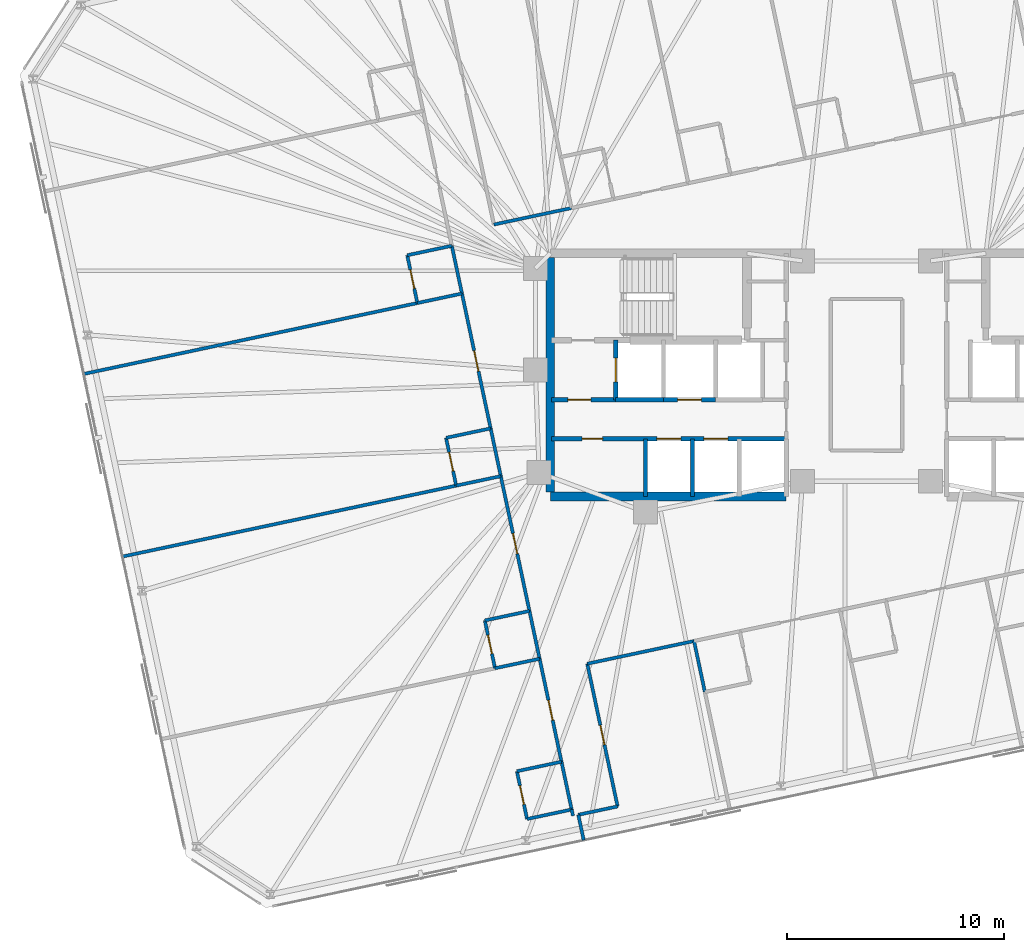
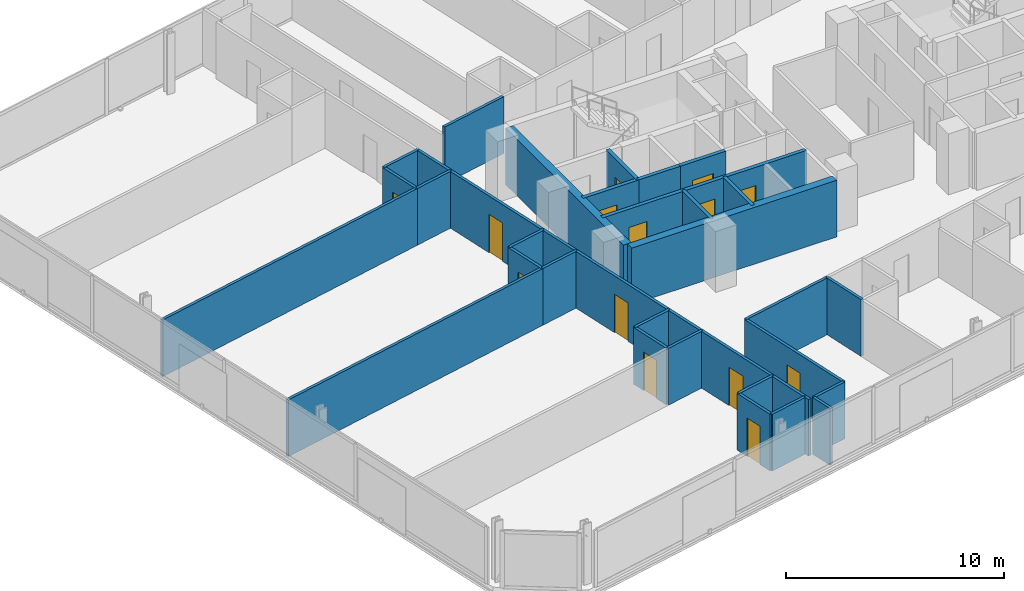
# One storey, part 14 of 20: 37 walls, 14 doors, 14 openings.
"""IFC4 building model written with IfcOpenShell, lengths in metres."""

from ifc_helpers import new_model, si_unit, direction, frame, frame_2d, origin, place, context, subcontext, project, spatial, rectangle, extrude, material, layer, layer_set, type_object, element, fill, save


model = new_model("IFC4")

# Units and contexts
model_context = context("Model", 3, precision=1e-05, world=origin(), true_north=direction((0.0, 1.0)))
body_context = subcontext(model_context, "Body", "Model", "MODEL_VIEW")
ifc_project = project(units=[si_unit("LENGTHUNIT", "METRE"), si_unit("AREAUNIT", "SQUARE_METRE"), si_unit("VOLUMEUNIT", "CUBIC_METRE"), si_unit("PLANEANGLEUNIT", "RADIAN"), si_unit("MASSUNIT", "GRAM", prefix="KILO")], contexts=[model_context])

# Site, building, storey
site_placement = place(None, origin())
site = spatial("IfcSite", under=ifc_project, at=site_placement, CompositionType="ELEMENT")
building_placement = place(site_placement, origin())
building = spatial("IfcBuilding", under=site, at=building_placement, Name="Menara Jurai Vektor", CompositionType="ELEMENT")
storey_placement = place(building_placement, frame((0.0, 0.0, 158.199951171875)))
storey = spatial("IfcBuildingStorey", under=building, at=storey_placement, Name="L40", CompositionType="ELEMENT", Elevation=158.199951171875)

# Wall, opening, door
ifc_material_1 = material(Name="Concrete C40/50", Category="concrete")
ifc_layer_1 = layer(ifc_material_1, 0.25)
ifc_layer_set_1 = layer_set([ifc_layer_1], Name="Concrete C40/50")
wall_type_1 = type_object("IfcWallType", Name="INT-WALL-CORE-250", PredefinedType="STANDARD", material=ifc_layer_set_1)
wall_1_placement = place(storey_placement, frame((-11.550048828125, -1.14990234375, 0.0), z_axis=(0.0, 0.0, 1.0), x_axis=(0.0, 1.0, 0.0)))
wall_1 = element("IfcWall", 1, at=wall_1_placement, inside=storey, type_object=wall_type_1, Name="Interior Wall IW-250 L40", PredefinedType="STANDARD", context=body_context, shape_type="SweptSolid", body=[
    extrude(rectangle(XDim=2.75, YDim=0.199951171875, at=frame_2d((1.375, 0.0))), origin(), (0.0, 0.0, 1.0), 3.175048828125),
])
opening_1_placement = place(wall_1_placement, frame((0.824951171875, 0.0, 0.0)))
opening_1 = element("IfcOpeningElement", 2, at=opening_1_placement, cuts=wall_1, Name="Opening LD-L40-FL1", PredefinedType="OPENING", context=body_context, shape_type="SweptSolid", body=[
    extrude(rectangle(XDim=1.10009765625, YDim=2.14990234375, at=frame_2d((0.550048828125, 1.074951171875))), frame((0.0, 0.10986328125, 0.0), z_axis=(0.0, -1.0, 0.0), x_axis=(1.0, 0.0, 0.0)), (0.0, 0.0, 1.0), 0.219970703125),
])
ifc_material_2 = material(Name="Stainless Steel Sliding Lift Landing Door", Category="steel")
door_type_1 = type_object("IfcDoorType", Name="DR-LIFT-FIRE-1100", OperationType="NOTDEFINED", PredefinedType="DOOR", material=ifc_material_2)
door_1_placement = place(opening_1_placement, origin())
door_1 = element("IfcDoor", 3, at=door_1_placement, inside=storey, type_object=door_type_1, Name="Lift Landing Door FL1 L40", OperationType="SLIDING_TO_RIGHT", OverallHeight=2.14990234375, OverallWidth=1.10009765625, PredefinedType="DOOR", context=body_context, shape_type="SweptSolid", body=[
    extrude(rectangle(XDim=1.10009765625, YDim=2.14990234375, at=frame_2d((0.550048828125, 1.074951171875))), frame((0.0, 0.02490234375, 0.0), z_axis=(0.0, -1.0, 0.0), x_axis=(1.0, 0.0, 0.0)), (0.0, 0.0, 1.0), 0.050048828125),
])
fill(opening_1, door_1)

wall_2_placement = place(storey_placement, frame((-14.5, -1.14990234375, 0.0), z_axis=(0.0, 0.0, 1.0), x_axis=(1.0, 0.0, 0.0)))
wall_2 = element("IfcWall", 4, at=wall_2_placement, inside=storey, type_object=wall_type_1, Name="Interior Wall IW-250 L40", PredefinedType="STANDARD", context=body_context, shape_type="SweptSolid", body=[
    extrude(rectangle(XDim=2.949951171875, YDim=0.199951171875, at=frame_2d((1.47509765625, 0.0))), origin(), (0.0, 0.0, 1.0), 3.175048828125),
])
opening_2_placement = place(wall_2_placement, frame((0.75, 0.0, 0.0)))
opening_2 = element("IfcOpeningElement", 5, at=opening_2_placement, cuts=wall_2, Name="Opening D-L40-FFW", PredefinedType="OPENING", context=body_context, shape_type="SweptSolid", body=[
    extrude(rectangle(XDim=1.050048828125, YDim=2.179931640625, at=frame_2d((0.52490234375, 1.08984375))), frame((0.0, 0.10986328125, 0.0), z_axis=(0.0, -1.0, 0.0), x_axis=(1.0, 0.0, 0.0)), (0.0, 0.0, 1.0), 0.219970703125),
])
ifc_material_3 = material(Name="Fire-Rated Timber Door", Category="wood")
door_type_2 = type_object("IfcDoorType", Name="DR-LOBBY-1050", OperationType="NOTDEFINED", PredefinedType="DOOR", material=ifc_material_3)
door_2_placement = place(opening_2_placement, origin())
door_2 = element("IfcDoor", 6, at=door_2_placement, inside=storey, type_object=door_type_2, Name="Fire Lift Lobby Door W L40", OperationType="SINGLE_SWING_RIGHT", OverallHeight=2.179931640625, OverallWidth=1.050048828125, PredefinedType="DOOR", context=body_context, shape_type="SweptSolid", body=[
    extrude(rectangle(XDim=1.050048828125, YDim=2.179931640625, at=frame_2d((0.52490234375, 1.08984375))), frame((0.0, 0.02490234375, 0.0), z_axis=(0.0, -1.0, 0.0), x_axis=(1.0, 0.0, 0.0)), (0.0, 0.0, 1.0), 0.050048828125),
])
fill(opening_2, door_2)

# Walls
wall_3_placement = place(storey_placement, frame((-11.550048828125, -1.14990234375, 0.0), z_axis=(0.0, 0.0, 1.0), x_axis=(1.0, 0.0, 0.0)))
element("IfcWall", 7, at=wall_3_placement, inside=storey, type_object=wall_type_1, Name="Interior Wall IW-250 L40", PredefinedType="STANDARD", context=body_context, shape_type="SweptSolid", body=[
    extrude(rectangle(XDim=2.199951171875, YDim=0.199951171875, at=frame_2d((1.10009765625, 0.0))), origin(), (0.0, 0.0, 1.0), 3.175048828125),
])
ifc_material_4 = material(Name="Gypsum Fireboard Partition", Category="gypsum")
ifc_layer_2 = layer(ifc_material_4, 0.14990234375)
ifc_layer_set_2 = layer_set([ifc_layer_2], Name="Gypsum Fireboard Partition")
wall_type_2 = type_object("IfcWallType", Name="INT-WALL-CORR-150", PredefinedType="PARTITIONING", material=ifc_layer_set_2)
wall_4_placement = place(storey_placement, frame((-17.162353515625, 6.92578125, 0.0), z_axis=(0.0, 0.0, 1.0), x_axis=(0.978147299501, 0.207913108004, 0.0)))
element("IfcWall", 8, at=wall_4_placement, inside=storey, type_object=wall_type_2, Name="Interior Wall IW-150 L40", PredefinedType="PARTITIONING", context=body_context, shape_type="SweptSolid", body=[
    extrude(rectangle(XDim=3.653076171875, YDim=0.14990234375, at=frame_2d((1.82666015625, 0.0))), origin(), (0.0, 0.0, 1.0), 3.175048828125),
])
wall_5_placement = place(storey_placement, frame((-13.274169921875, -20.264892578125, 0.0), z_axis=(0.0, 0.0, 1.0), x_axis=(0.978160192495, 0.207852442415, 0.0)))
element("IfcWall", 9, at=wall_5_placement, inside=storey, type_object=wall_type_2, Name="Interior Wall IW-150 L40", PredefinedType="PARTITIONING", context=body_context, shape_type="SweptSolid", body=[
    extrude(rectangle(XDim=1.849853515625, YDim=0.14990234375, at=frame_2d((0.9248046875, 0.0))), origin(), (0.0, 0.0, 1.0), 3.175048828125),
])

# Wall, opening, door
wall_6_placement = place(storey_placement, frame((-11.464599609375, -19.88037109375, 0.0), z_axis=(0.0, 0.0, 1.0), x_axis=(-0.207916109912, 0.978146661416, 0.0)))
wall_6 = element("IfcWall", 10, at=wall_6_placement, inside=storey, type_object=wall_type_2, Name="Interior Wall IW-150 L40", PredefinedType="PARTITIONING", context=body_context, shape_type="SweptSolid", body=[
    extrude(rectangle(XDim=6.72021484375, YDim=0.14990234375, at=frame_2d((3.360107421875, 0.0))), origin(), (0.0, 0.0, 1.0), 3.175048828125),
])
opening_3_placement = place(wall_6_placement, frame((2.89990234375, 0.0, 0.0)))
opening_3 = element("IfcOpeningElement", 11, at=opening_3_placement, cuts=wall_6, Name="Opening D40-18", PredefinedType="OPENING", context=body_context, shape_type="SweptSolid", body=[
    extrude(rectangle(XDim=0.919921875, YDim=2.14990234375, at=frame_2d((0.4599609375, 1.074951171875))), frame((0.0, 0.0849609375, 0.0), z_axis=(0.0, -1.0, 0.0), x_axis=(1.0, 0.0, 0.0)), (0.0, 0.0, 1.0), 0.169921875),
])
ifc_material_5 = material(Name="Solid Core Timber Fire Door", Category="wood")
door_type_3 = type_object("IfcDoorType", Name="DR-ENTRY-950", OperationType="NOTDEFINED", PredefinedType="DOOR", material=ifc_material_5)
door_3_placement = place(opening_3_placement, origin())
door_3 = element("IfcDoor", 12, at=door_3_placement, inside=storey, type_object=door_type_3, Name="Interior Door D40-18", OperationType="SINGLE_SWING_LEFT", OverallHeight=2.14990234375, OverallWidth=0.919921875, PredefinedType="DOOR", context=body_context, shape_type="SweptSolid", body=[
    extrude(rectangle(XDim=0.919921875, YDim=2.14990234375, at=frame_2d((0.4599609375, 1.074951171875))), frame((0.0, 0.02490234375, 0.0), z_axis=(0.0, -1.0, 0.0), x_axis=(1.0, 0.0, 0.0)), (0.0, 0.0, 1.0), 0.050048828125),
])
fill(opening_3, door_3)

# Walls
wall_7_placement = place(storey_placement, frame((-12.86181640625, -13.30712890625, 0.0), z_axis=(0.0, 0.0, 1.0), x_axis=(0.978145647498, 0.207920879857, 0.0)))
element("IfcWall", 13, at=wall_7_placement, inside=storey, type_object=wall_type_2, Name="Interior Wall IW-150 L40", PredefinedType="PARTITIONING", context=body_context, shape_type="SweptSolid", body=[
    extrude(rectangle(XDim=5.029052734375, YDim=0.14990234375, at=frame_2d((2.5146484375, 0.0))), origin(), (0.0, 0.0, 1.0), 3.175048828125),
])
wall_8_placement = place(storey_placement, frame((-13.518798828125, -20.31689453125, 0.0), z_axis=(0.0, 0.0, 1.0), x_axis=(-0.207527808066, 0.978229118806, 0.0)))
element("IfcWall", 14, at=wall_8_placement, inside=storey, type_object=wall_type_2, Name="Interior Wall IW-150 L40", PredefinedType="PARTITIONING", context=body_context, shape_type="SweptSolid", body=[
    extrude(rectangle(XDim=0.300048828125, YDim=0.14990234375, at=frame_2d((0.14990234375, 0.0))), origin(), (0.0, 0.0, 1.0), 3.175048828125),
])

# Wall, opening, door
wall_9_placement = place(storey_placement, frame((-14.048828125, -17.822509765625, 0.0), z_axis=(0.0, 0.0, 1.0), x_axis=(-0.2079027059, 0.978149510494, 0.0)))
wall_9 = element("IfcWall", 15, at=wall_9_placement, inside=storey, type_object=wall_type_2, Name="Interior Wall IW-150 L40", PredefinedType="PARTITIONING", context=body_context, shape_type="SweptSolid", body=[
    extrude(rectangle(XDim=4.849853515625, YDim=0.14990234375, at=frame_2d((2.4248046875, 0.0))), origin(), (0.0, 0.0, 1.0), 3.175048828125),
])
opening_4_placement = place(wall_9_placement, frame((1.949951171875, 0.0, 0.0)))
opening_4 = element("IfcOpeningElement", 16, at=opening_4_placement, cuts=wall_9, Name="Opening D40-27", PredefinedType="OPENING", context=body_context, shape_type="SweptSolid", body=[
    extrude(rectangle(XDim=0.949951171875, YDim=2.14990234375, at=frame_2d((0.47509765625, 1.074951171875))), frame((0.0, 0.0849609375, 0.0), z_axis=(0.0, -1.0, 0.0), x_axis=(1.0, 0.0, 0.0)), (0.0, 0.0, 1.0), 0.169921875),
])
door_4_placement = place(opening_4_placement, origin())
door_4 = element("IfcDoor", 17, at=door_4_placement, inside=storey, type_object=door_type_3, Name="Interior Door D40-27", OperationType="SINGLE_SWING_RIGHT", OverallHeight=2.14990234375, OverallWidth=0.949951171875, PredefinedType="DOOR", context=body_context, shape_type="SweptSolid", body=[
    extrude(rectangle(XDim=0.949951171875, YDim=2.14990234375, at=frame_2d((0.47509765625, 1.074951171875))), frame((0.0, 0.02490234375, 0.0), z_axis=(0.0, -1.0, 0.0), x_axis=(1.0, 0.0, 0.0)), (0.0, 0.0, 1.0), 0.050048828125),
])
fill(opening_4, door_4)

# Wall
wall_10_placement = place(storey_placement, frame((-13.5810546875, -20.0234375, 0.0), z_axis=(0.0, 0.0, 1.0), x_axis=(-0.207891197838, 0.978151956427, 0.0)))
element("IfcWall", 18, at=wall_10_placement, inside=storey, type_object=wall_type_2, Name="Interior Wall IW-150 L40", PredefinedType="PARTITIONING", context=body_context, shape_type="SweptSolid", body=[
    extrude(rectangle(XDim=2.25, YDim=0.14990234375, at=frame_2d((1.125, 0.0))), origin(), (0.0, 0.0, 1.0), 3.175048828125),
])

# Wall, opening, door
wall_11_placement = place(storey_placement, frame((-15.525146484375, -10.877685546875, 0.0), z_axis=(0.0, 0.0, 1.0), x_axis=(-0.207887725283, 0.978152694459, 0.0)))
wall_11 = element("IfcWall", 19, at=wall_11_placement, inside=storey, type_object=wall_type_2, Name="Interior Wall IW-150 L40", PredefinedType="PARTITIONING", context=body_context, shape_type="SweptSolid", body=[
    extrude(rectangle(XDim=6.349853515625, YDim=0.14990234375, at=frame_2d((3.1748046875, 0.0))), origin(), (0.0, 0.0, 1.0), 3.175048828125),
])
opening_5_placement = place(wall_11_placement, frame((2.699951171875, 0.0, 0.0)))
opening_5 = element("IfcOpeningElement", 20, at=opening_5_placement, cuts=wall_11, Name="Opening D40-29", PredefinedType="OPENING", context=body_context, shape_type="SweptSolid", body=[
    extrude(rectangle(XDim=0.949951171875, YDim=2.14990234375, at=frame_2d((0.47509765625, 1.074951171875))), frame((0.0, 0.0849609375, 0.0), z_axis=(0.0, -1.0, 0.0), x_axis=(1.0, 0.0, 0.0)), (0.0, 0.0, 1.0), 0.169921875),
])
door_5_placement = place(opening_5_placement, origin())
door_5 = element("IfcDoor", 21, at=door_5_placement, inside=storey, type_object=door_type_3, Name="Interior Door D40-29", OperationType="SINGLE_SWING_RIGHT", OverallHeight=2.14990234375, OverallWidth=0.949951171875, PredefinedType="DOOR", context=body_context, shape_type="SweptSolid", body=[
    extrude(rectangle(XDim=0.949951171875, YDim=2.14990234375, at=frame_2d((0.47509765625, 1.074951171875))), frame((0.0, 0.02490234375, 0.0), z_axis=(0.0, -1.0, 0.0), x_axis=(1.0, 0.0, 0.0)), (0.0, 0.0, 1.0), 0.050048828125),
])
fill(opening_5, door_5)

# Wall
wall_12_placement = place(storey_placement, frame((-15.05712890625, -13.07861328125, 0.0), z_axis=(0.0, 0.0, 1.0), x_axis=(-0.207995007687, 0.978129887478, 0.0)))
element("IfcWall", 22, at=wall_12_placement, inside=storey, type_object=wall_type_2, Name="Interior Wall IW-150 L40", PredefinedType="PARTITIONING", context=body_context, shape_type="SweptSolid", body=[
    extrude(rectangle(XDim=2.250244140625, YDim=0.14990234375, at=frame_2d((1.125, 0.0))), origin(), (0.0, 0.0, 1.0), 3.175048828125),
])

# Wall, opening, door
wall_13_placement = place(storey_placement, frame((-17.31298828125, -2.4658203125, 0.0), z_axis=(0.0, 0.0, 1.0), x_axis=(-0.207916691923, 0.978146537703, 0.0)))
wall_13 = element("IfcWall", 23, at=wall_13_placement, inside=storey, type_object=wall_type_2, Name="Interior Wall IW-150 L40", PredefinedType="PARTITIONING", context=body_context, shape_type="SweptSolid", body=[
    extrude(rectangle(XDim=6.35009765625, YDim=0.14990234375, at=frame_2d((3.175048828125, 0.0))), origin(), (0.0, 0.0, 1.0), 3.175048828125),
])
opening_6_placement = place(wall_13_placement, frame((2.699951171875, 0.0, 0.0)))
opening_6 = element("IfcOpeningElement", 24, at=opening_6_placement, cuts=wall_13, Name="Opening D40-31", PredefinedType="OPENING", context=body_context, shape_type="SweptSolid", body=[
    extrude(rectangle(XDim=0.949951171875, YDim=2.14990234375, at=frame_2d((0.47509765625, 1.074951171875))), frame((0.0, 0.0849609375, 0.0), z_axis=(0.0, -1.0, 0.0), x_axis=(1.0, 0.0, 0.0)), (0.0, 0.0, 1.0), 0.169921875),
])
door_6_placement = place(opening_6_placement, origin())
door_6 = element("IfcDoor", 25, at=door_6_placement, inside=storey, type_object=door_type_3, Name="Interior Door D40-31", OperationType="SINGLE_SWING_RIGHT", OverallHeight=2.14990234375, OverallWidth=0.949951171875, PredefinedType="DOOR", context=body_context, shape_type="SweptSolid", body=[
    extrude(rectangle(XDim=0.949951171875, YDim=2.14990234375, at=frame_2d((0.47509765625, 1.074951171875))), frame((0.0, 0.02490234375, 0.0), z_axis=(0.0, -1.0, 0.0), x_axis=(1.0, 0.0, 0.0)), (0.0, 0.0, 1.0), 0.050048828125),
])
fill(opening_6, door_6)

# Walls
for number, where, z_axis, x_axis, name in (
    (26, (-16.84521484375, -4.66650390625, 0.0), (0.0, 0.0, 1.0), (-0.207913264065, 0.978147266328, 0.0), "Interior Wall IW-150 L40"),
    (27, (-18.63330078125, 3.74560546875, 0.0), (0.0, 0.0, 1.0), (-0.207913264065, 0.978147266328, 0.0), "Interior Wall IW-150 L40"),
):
    element("IfcWall", number, at=place(storey_placement, frame(where, z_axis=z_axis, x_axis=x_axis)), inside=storey, type_object=wall_type_2, Name=name, PredefinedType="PARTITIONING", context=body_context, shape_type="SweptSolid", body=[
        extrude(rectangle(XDim=2.249755859375, YDim=0.14990234375, at=frame_2d((1.125, 0.0))), origin(), (0.0, 0.0, 1.0), 3.175048828125),
    ])
wall_14_placement = place(storey_placement, frame((-7.443603515625, -14.609130859375, 0.0), z_axis=(0.0, 0.0, 1.0), x_axis=(-0.207917150959, 0.978146440129, 0.0)))
element("IfcWall", 28, at=wall_14_placement, inside=storey, type_object=wall_type_2, Name="Interior Wall IW-150 L40", PredefinedType="PARTITIONING", context=body_context, shape_type="SweptSolid", body=[
    extrude(rectangle(XDim=2.400146484375, YDim=0.14990234375, at=frame_2d((1.2001953125, 0.0))), origin(), (0.0, 0.0, 1.0), 3.175048828125),
])
wall_15_placement = place(storey_placement, frame((-13.024658203125, -21.438720703125, 0.0), z_axis=(0.0, 0.0, 1.0), x_axis=(-0.207917150959, 0.978146440129, 0.0)))
element("IfcWall", 29, at=wall_15_placement, inside=storey, type_object=wall_type_2, Name="Interior Wall IW-150 L40", PredefinedType="PARTITIONING", context=body_context, shape_type="SweptSolid", body=[
    extrude(rectangle(XDim=1.199951171875, YDim=0.14990234375, at=frame_2d((0.60009765625, 0.0))), origin(), (0.0, 0.0, 1.0), 3.175048828125),
])

# Wall, opening, door
wall_16_placement = place(storey_placement, frame((-15.63525390625, -20.4599609375, 0.0), z_axis=(0.0, 0.0, 1.0), x_axis=(-0.207913264065, 0.978147266328, 0.0)))
wall_16 = element("IfcWall", 30, at=wall_16_placement, inside=storey, type_object=wall_type_2, Name="Interior Wall IW-150 L40", PredefinedType="PARTITIONING", context=body_context, shape_type="SweptSolid", body=[
    extrude(rectangle(XDim=2.249755859375, YDim=0.14990234375, at=frame_2d((1.125, 0.0))), origin(), (0.0, 0.0, 1.0), 3.175048828125),
])
opening_7_placement = place(wall_16_placement, frame((0.68505859375, 0.0, 0.0)))
opening_7 = element("IfcOpeningElement", 31, at=opening_7_placement, cuts=wall_16, Name="Opening D40-28", PredefinedType="OPENING", context=body_context, shape_type="SweptSolid", body=[
    extrude(rectangle(XDim=0.8798828125, YDim=2.14990234375, at=frame_2d((0.43994140625, 1.074951171875))), frame((0.0, 0.0849609375, 0.0), z_axis=(0.0, -1.0, 0.0), x_axis=(1.0, 0.0, 0.0)), (0.0, 0.0, 1.0), 0.169921875),
])
ifc_material_6 = material(Name="Moisture-Resistant Timber Door", Category="wood")
door_type_4 = type_object("IfcDoorType", Name="DR-BATH-880", OperationType="NOTDEFINED", PredefinedType="DOOR", material=ifc_material_6)
door_7_placement = place(opening_7_placement, origin())
door_7 = element("IfcDoor", 32, at=door_7_placement, inside=storey, type_object=door_type_4, Name="Interior Door D40-28", OperationType="SINGLE_SWING_LEFT", OverallHeight=2.14990234375, OverallWidth=0.8798828125, PredefinedType="DOOR", context=body_context, shape_type="SweptSolid", body=[
    extrude(rectangle(XDim=0.8798828125, YDim=2.14990234375, at=frame_2d((0.43994140625, 1.074951171875))), frame((0.0, 0.02490234375, 0.0), z_axis=(0.0, -1.0, 0.0), x_axis=(1.0, 0.0, 0.0)), (0.0, 0.0, 1.0), 0.050048828125),
])
fill(opening_7, door_7)

# Walls
for number, where, z_axis, x_axis, name in (
    (33, (-15.63525390625, -20.4599609375, 0.0), (0.0, 0.0, 1.0), (0.97815826, 0.207861536591, 0.0), "Interior Wall IW-150 L40"),
    (34, (-16.10302734375, -18.25927734375, 0.0), (0.0, 0.0, 1.0), (0.978134617382, 0.207972763311, 0.0), "Interior Wall IW-150 L40"),
    (35, (-17.111328125, -13.51513671875, 0.0), (0.0, 0.0, 1.0), (0.97815826, 0.207861536591, 0.0), "Interior Wall IW-150 L40"),
):
    element("IfcWall", number, at=place(storey_placement, frame(where, z_axis=z_axis, x_axis=x_axis)), inside=storey, type_object=wall_type_2, Name=name, PredefinedType="PARTITIONING", context=body_context, shape_type="SweptSolid", body=[
        extrude(rectangle(XDim=2.10009765625, YDim=0.14990234375, at=frame_2d((1.050048828125, 0.0))), origin(), (0.0, 0.0, 1.0), 3.175048828125),
    ])

# Wall, opening, door
wall_17_placement = place(storey_placement, frame((-17.111328125, -13.51513671875, 0.0), z_axis=(0.0, 0.0, 1.0), x_axis=(-0.207913264065, 0.978147266328, 0.0)))
wall_17 = element("IfcWall", 36, at=wall_17_placement, inside=storey, type_object=wall_type_2, Name="Interior Wall IW-150 L40", PredefinedType="PARTITIONING", context=body_context, shape_type="SweptSolid", body=[
    extrude(rectangle(XDim=2.249755859375, YDim=0.14990234375, at=frame_2d((1.125, 0.0))), origin(), (0.0, 0.0, 1.0), 3.175048828125),
])
opening_8_placement = place(wall_17_placement, frame((0.68505859375, 0.0, 0.0)))
opening_8 = element("IfcOpeningElement", 37, at=opening_8_placement, cuts=wall_17, Name="Opening D40-30", PredefinedType="OPENING", context=body_context, shape_type="SweptSolid", body=[
    extrude(rectangle(XDim=0.8798828125, YDim=2.14990234375, at=frame_2d((0.43994140625, 1.074951171875))), frame((0.0, 0.0849609375, 0.0), z_axis=(0.0, -1.0, 0.0), x_axis=(1.0, 0.0, 0.0)), (0.0, 0.0, 1.0), 0.169921875),
])
door_8_placement = place(opening_8_placement, origin())
door_8 = element("IfcDoor", 38, at=door_8_placement, inside=storey, type_object=door_type_4, Name="Interior Door D40-30", OperationType="SINGLE_SWING_LEFT", OverallHeight=2.14990234375, OverallWidth=0.8798828125, PredefinedType="DOOR", context=body_context, shape_type="SweptSolid", body=[
    extrude(rectangle(XDim=0.8798828125, YDim=2.14990234375, at=frame_2d((0.43994140625, 1.074951171875))), frame((0.0, 0.02490234375, 0.0), z_axis=(0.0, -1.0, 0.0), x_axis=(1.0, 0.0, 0.0)), (0.0, 0.0, 1.0), 0.050048828125),
])
fill(opening_8, door_8)

# Walls
wall_18_placement = place(storey_placement, frame((-17.5791015625, -11.314453125, 0.0), z_axis=(0.0, 0.0, 1.0), x_axis=(0.978129588365, 0.207996414309, 0.0)))
element("IfcWall", 39, at=wall_18_placement, inside=storey, type_object=wall_type_2, Name="Interior Wall IW-150 L40", PredefinedType="PARTITIONING", context=body_context, shape_type="SweptSolid", body=[
    extrude(rectangle(XDim=2.099853515625, YDim=0.14990234375, at=frame_2d((1.0498046875, 0.0))), origin(), (0.0, 0.0, 1.0), 3.175048828125),
])
wall_19_placement = place(storey_placement, frame((-34.27392578125, -8.37109375, 0.0), z_axis=(0.0, 0.0, 1.0), x_axis=(0.978146137903, 0.207918572776, 0.0)))
element("IfcWall", 40, at=wall_19_placement, inside=storey, type_object=wall_type_2, Name="Interior Wall IW-150 L40", PredefinedType="PARTITIONING", context=body_context, shape_type="SweptSolid", body=[
    extrude(rectangle(XDim=15.718017578125, YDim=0.14990234375, at=frame_2d((7.85888671875, 0.0))), origin(), (0.0, 0.0, 1.0), 3.175048828125),
])
wall_20_placement = place(storey_placement, frame((-18.8994140625, -5.10302734375, 0.0), z_axis=(0.0, 0.0, 1.0), x_axis=(0.97815826, 0.207861536591, 0.0)))
element("IfcWall", 41, at=wall_20_placement, inside=storey, type_object=wall_type_2, Name="Interior Wall IW-150 L40", PredefinedType="PARTITIONING", context=body_context, shape_type="SweptSolid", body=[
    extrude(rectangle(XDim=2.10009765625, YDim=0.14990234375, at=frame_2d((1.050048828125, 0.0))), origin(), (0.0, 0.0, 1.0), 3.175048828125),
])

# Wall, opening, door
wall_21_placement = place(storey_placement, frame((-18.8994140625, -5.10302734375, 0.0), z_axis=(0.0, 0.0, 1.0), x_axis=(-0.207913264065, 0.978147266328, 0.0)))
wall_21 = element("IfcWall", 42, at=wall_21_placement, inside=storey, type_object=wall_type_2, Name="Interior Wall IW-150 L40", PredefinedType="PARTITIONING", context=body_context, shape_type="SweptSolid", body=[
    extrude(rectangle(XDim=2.249755859375, YDim=0.14990234375, at=frame_2d((1.125, 0.0))), origin(), (0.0, 0.0, 1.0), 3.175048828125),
])
opening_9_placement = place(wall_21_placement, frame((0.68505859375, 0.0, 0.0)))
opening_9 = element("IfcOpeningElement", 43, at=opening_9_placement, cuts=wall_21, Name="Opening D40-32", PredefinedType="OPENING", context=body_context, shape_type="SweptSolid", body=[
    extrude(rectangle(XDim=0.8798828125, YDim=2.14990234375, at=frame_2d((0.43994140625, 1.074951171875))), frame((0.0, 0.0849609375, 0.0), z_axis=(0.0, -1.0, 0.0), x_axis=(1.0, 0.0, 0.0)), (0.0, 0.0, 1.0), 0.169921875),
])
door_9_placement = place(opening_9_placement, origin())
door_9 = element("IfcDoor", 44, at=door_9_placement, inside=storey, type_object=door_type_4, Name="Interior Door D40-32", OperationType="SINGLE_SWING_LEFT", OverallHeight=2.14990234375, OverallWidth=0.8798828125, PredefinedType="DOOR", context=body_context, shape_type="SweptSolid", body=[
    extrude(rectangle(XDim=0.8798828125, YDim=2.14990234375, at=frame_2d((0.43994140625, 1.074951171875))), frame((0.0, 0.02490234375, 0.0), z_axis=(0.0, -1.0, 0.0), x_axis=(1.0, 0.0, 0.0)), (0.0, 0.0, 1.0), 0.050048828125),
])
fill(opening_9, door_9)

# Walls
wall_22_placement = place(storey_placement, frame((-19.3671875, -2.90234375, 0.0), z_axis=(0.0, 0.0, 1.0), x_axis=(0.97815826, 0.207861536591, 0.0)))
element("IfcWall", 45, at=wall_22_placement, inside=storey, type_object=wall_type_2, Name="Interior Wall IW-150 L40", PredefinedType="PARTITIONING", context=body_context, shape_type="SweptSolid", body=[
    extrude(rectangle(XDim=2.10009765625, YDim=0.14990234375, at=frame_2d((1.050048828125, 0.0))), origin(), (0.0, 0.0, 1.0), 3.175048828125),
])
wall_23_placement = place(storey_placement, frame((-36.06201171875, 0.041015625, 0.0), z_axis=(0.0, 0.0, 1.0), x_axis=(0.978149296727, 0.207903711638, 0.0)))
element("IfcWall", 46, at=wall_23_placement, inside=storey, type_object=wall_type_2, Name="Interior Wall IW-150 L40", PredefinedType="PARTITIONING", context=body_context, shape_type="SweptSolid", body=[
    extrude(rectangle(XDim=15.718017578125, YDim=0.14990234375, at=frame_2d((7.85888671875, 0.0))), origin(), (0.0, 0.0, 1.0), 3.175048828125),
])
wall_24_placement = place(storey_placement, frame((-20.6875, 3.308837890625, 0.0), z_axis=(0.0, 0.0, 1.0), x_axis=(0.978134617382, 0.207972763311, 0.0)))
element("IfcWall", 47, at=wall_24_placement, inside=storey, type_object=wall_type_2, Name="Interior Wall IW-150 L40", PredefinedType="PARTITIONING", context=body_context, shape_type="SweptSolid", body=[
    extrude(rectangle(XDim=2.10009765625, YDim=0.14990234375, at=frame_2d((1.050048828125, 0.0))), origin(), (0.0, 0.0, 1.0), 3.175048828125),
])

# Wall, opening, door
wall_25_placement = place(storey_placement, frame((-20.6875, 3.308837890625, 0.0), z_axis=(0.0, 0.0, 1.0), x_axis=(-0.207891197838, 0.978151956427, 0.0)))
wall_25 = element("IfcWall", 48, at=wall_25_placement, inside=storey, type_object=wall_type_2, Name="Interior Wall IW-150 L40", PredefinedType="PARTITIONING", context=body_context, shape_type="SweptSolid", body=[
    extrude(rectangle(XDim=2.25, YDim=0.14990234375, at=frame_2d((1.125, 0.0))), origin(), (0.0, 0.0, 1.0), 3.175048828125),
])
opening_10_placement = place(wall_25_placement, frame((0.68505859375, 0.0, 0.0)))
opening_10 = element("IfcOpeningElement", 49, at=opening_10_placement, cuts=wall_25, Name="Opening D40-34", PredefinedType="OPENING", context=body_context, shape_type="SweptSolid", body=[
    extrude(rectangle(XDim=0.8798828125, YDim=2.14990234375, at=frame_2d((0.43994140625, 1.074951171875))), frame((0.0, 0.0849609375, 0.0), z_axis=(0.0, -1.0, 0.0), x_axis=(1.0, 0.0, 0.0)), (0.0, 0.0, 1.0), 0.169921875),
])
door_10_placement = place(opening_10_placement, origin())
door_10 = element("IfcDoor", 50, at=door_10_placement, inside=storey, type_object=door_type_4, Name="Interior Door D40-34", OperationType="SINGLE_SWING_LEFT", OverallHeight=2.14990234375, OverallWidth=0.8798828125, PredefinedType="DOOR", context=body_context, shape_type="SweptSolid", body=[
    extrude(rectangle(XDim=0.8798828125, YDim=2.14990234375, at=frame_2d((0.43994140625, 1.074951171875))), frame((0.0, 0.02490234375, 0.0), z_axis=(0.0, -1.0, 0.0), x_axis=(1.0, 0.0, 0.0)), (0.0, 0.0, 1.0), 0.050048828125),
])
fill(opening_10, door_10)

# Wall
wall_26_placement = place(storey_placement, frame((-21.1552734375, 5.509765625, 0.0), z_axis=(0.0, 0.0, 1.0), x_axis=(0.97815826, 0.207861536591, 0.0)))
element("IfcWall", 51, at=wall_26_placement, inside=storey, type_object=wall_type_2, Name="Interior Wall IW-150 L40", PredefinedType="PARTITIONING", context=body_context, shape_type="SweptSolid", body=[
    extrude(rectangle(XDim=2.10009765625, YDim=0.14990234375, at=frame_2d((1.050048828125, 0.0))), origin(), (0.0, 0.0, 1.0), 3.175048828125),
])

# Wall, opening, door
ifc_layer_3 = layer(ifc_material_1, 0.199951171875)
ifc_layer_set_3 = layer_set([ifc_layer_3], Name="Concrete C40/50")
wall_type_3 = type_object("IfcWallType", Name="INT-WALL-SHAFT-200", PredefinedType="STANDARD", material=ifc_layer_set_3)
wall_27_placement = place(storey_placement, frame((-9.35009765625, -1.14990234375, 0.0), z_axis=(0.0, 0.0, 1.0), x_axis=(1.0, 0.0, 0.0)))
wall_27 = element("IfcWall", 52, at=wall_27_placement, inside=storey, type_object=wall_type_3, Name="Interior Wall IW-200 L40", PredefinedType="STANDARD", context=body_context, shape_type="SweptSolid", body=[
    extrude(rectangle(XDim=2.400146484375, YDim=0.199951171875, at=frame_2d((1.2001953125, 0.0))), origin(), (0.0, 0.0, 1.0), 3.175048828125),
])
opening_11_placement = place(wall_27_placement, frame((0.64990234375, 0.0, 0.0)))
opening_11 = element("IfcOpeningElement", 53, at=opening_11_placement, cuts=wall_27, Name="Opening LD-L40-SVL1", PredefinedType="OPENING", context=body_context, shape_type="SweptSolid", body=[
    extrude(rectangle(XDim=1.10009765625, YDim=2.14990234375, at=frame_2d((0.550048828125, 1.074951171875))), frame((0.0, 0.10986328125, 0.0), z_axis=(0.0, -1.0, 0.0), x_axis=(1.0, 0.0, 0.0)), (0.0, 0.0, 1.0), 0.219970703125),
])
ifc_material_7 = material(Name="Anodised Stainless Sliding Lift Landing Door", Category="steel")
door_type_5 = type_object("IfcDoorType", Name="DR-LIFT-PASS-1100", OperationType="NOTDEFINED", PredefinedType="DOOR", material=ifc_material_7)
door_11_placement = place(opening_11_placement, origin())
door_11 = element("IfcDoor", 54, at=door_11_placement, inside=storey, type_object=door_type_5, Name="Lift Landing Door SVL1 L40", OperationType="SLIDING_TO_RIGHT", OverallHeight=2.14990234375, OverallWidth=1.10009765625, PredefinedType="DOOR", context=body_context, shape_type="SweptSolid", body=[
    extrude(rectangle(XDim=1.10009765625, YDim=2.14990234375, at=frame_2d((0.550048828125, 1.074951171875))), frame((0.0, 0.02490234375, 0.0), z_axis=(0.0, -1.0, 0.0), x_axis=(1.0, 0.0, 0.0)), (0.0, 0.0, 1.0), 0.050048828125),
])
fill(opening_11, door_11)

# Wall, openings, doors
wall_28_placement = place(storey_placement, frame((-14.5, -2.949951171875, 0.0), z_axis=(0.0, 0.0, 1.0), x_axis=(1.0, 0.0, 0.0)))
wall_28 = element("IfcWall", 55, at=wall_28_placement, inside=storey, type_object=wall_type_3, Name="Interior Wall IW-200 L40", PredefinedType="STANDARD", context=body_context, shape_type="SweptSolid", body=[
    extrude(rectangle(XDim=10.800048828125, YDim=0.199951171875, at=frame_2d((5.39990234375, 0.0))), origin(), (0.0, 0.0, 1.0), 3.175048828125),
])
opening_12_placement = place(wall_28_placement, frame((4.85009765625, 0.0, 0.0)))
opening_12 = element("IfcOpeningElement", 56, at=opening_12_placement, cuts=wall_28, Name="Opening LD-L40-PM1", PredefinedType="OPENING", context=body_context, shape_type="SweptSolid", body=[
    extrude(rectangle(XDim=1.10009765625, YDim=2.14990234375, at=frame_2d((0.550048828125, 1.074951171875))), frame((0.0, 0.10986328125, 0.0), z_axis=(0.0, -1.0, 0.0), x_axis=(1.0, 0.0, 0.0)), (0.0, 0.0, 1.0), 0.219970703125),
])
opening_13_placement = place(wall_28_placement, frame((7.010009765625, 0.0, 0.0)))
opening_13 = element("IfcOpeningElement", 57, at=opening_13_placement, cuts=wall_28, Name="Opening LD-L40-PM2", PredefinedType="OPENING", context=body_context, shape_type="SweptSolid", body=[
    extrude(rectangle(XDim=1.10009765625, YDim=2.14990234375, at=frame_2d((0.550048828125, 1.074951171875))), frame((0.0, 0.10986328125, 0.0), z_axis=(0.0, -1.0, 0.0), x_axis=(1.0, 0.0, 0.0)), (0.0, 0.0, 1.0), 0.219970703125),
])
opening_14_placement = place(wall_28_placement, frame((1.39990234375, 0.0, 0.0)))
opening_14 = element("IfcOpeningElement", 58, at=opening_14_placement, cuts=wall_28, Name="Opening D40-01", PredefinedType="OPENING", context=body_context, shape_type="SweptSolid", body=[
    extrude(rectangle(XDim=0.949951171875, YDim=2.14990234375, at=frame_2d((0.47509765625, 1.074951171875))), frame((0.0, 0.10986328125, 0.0), z_axis=(0.0, -1.0, 0.0), x_axis=(1.0, 0.0, 0.0)), (0.0, 0.0, 1.0), 0.219970703125),
])
door_12_placement = place(opening_14_placement, origin())
door_12 = element("IfcDoor", 59, at=door_12_placement, inside=storey, type_object=door_type_3, Name="Interior Door D40-01", OperationType="SINGLE_SWING_LEFT", OverallHeight=2.14990234375, OverallWidth=0.949951171875, PredefinedType="DOOR", context=body_context, shape_type="SweptSolid", body=[
    extrude(rectangle(XDim=0.949951171875, YDim=2.14990234375, at=frame_2d((0.47509765625, 1.074951171875))), frame((0.0, 0.02490234375, 0.0), z_axis=(0.0, -1.0, 0.0), x_axis=(1.0, 0.0, 0.0)), (0.0, 0.0, 1.0), 0.050048828125),
])
fill(opening_14, door_12)
door_13_placement = place(opening_12_placement, origin())
door_13 = element("IfcDoor", 60, at=door_13_placement, inside=storey, type_object=door_type_5, Name="Lift Landing Door PM1 L40", OperationType="SLIDING_TO_LEFT", OverallHeight=2.14990234375, OverallWidth=1.10009765625, PredefinedType="DOOR", context=body_context, shape_type="SweptSolid", body=[
    extrude(rectangle(XDim=1.10009765625, YDim=2.14990234375, at=frame_2d((0.550048828125, 1.074951171875))), frame((0.0, 0.02490234375, 0.0), z_axis=(0.0, -1.0, 0.0), x_axis=(1.0, 0.0, 0.0)), (0.0, 0.0, 1.0), 0.050048828125),
])
fill(opening_12, door_13)
door_14_placement = place(opening_13_placement, origin())
door_14 = element("IfcDoor", 61, at=door_14_placement, inside=storey, type_object=door_type_5, Name="Lift Landing Door PM2 L40", OperationType="SLIDING_TO_LEFT", OverallHeight=2.14990234375, OverallWidth=1.10009765625, PredefinedType="DOOR", context=body_context, shape_type="SweptSolid", body=[
    extrude(rectangle(XDim=1.10009765625, YDim=2.14990234375, at=frame_2d((0.550048828125, 1.074951171875))), frame((0.0, 0.02490234375, 0.0), z_axis=(0.0, -1.0, 0.0), x_axis=(1.0, 0.0, 0.0)), (0.0, 0.0, 1.0), 0.050048828125),
])
fill(opening_13, door_14)

# Walls
for number, where, z_axis, x_axis, name in (
    (62, (-10.179931640625, -5.60009765625, 0.0), (0.0, 0.0, 1.0), (0.0, 1.0, 0.0), "Interior Wall IW-200 L40"),
    (63, (-8.02001953125, -5.60009765625, 0.0), (0.0, 0.0, 1.0), (0.0, 1.0, 0.0), "Interior Wall IW-200 L40"),
):
    element("IfcWall", number, at=place(storey_placement, frame(where, z_axis=z_axis, x_axis=x_axis)), inside=storey, type_object=wall_type_3, Name=name, PredefinedType="STANDARD", context=body_context, shape_type="SweptSolid", body=[
        extrude(rectangle(XDim=2.650146484375, YDim=0.179931640625, at=frame_2d((1.3251953125, 0.0))), origin(), (0.0, 0.0, 1.0), 3.175048828125),
    ])
ifc_material_8 = material(Name="Concrete C50/60", Category="concrete")
ifc_layer_4 = layer(ifc_material_8, 0.39990234375)
ifc_layer_set_4 = layer_set([ifc_layer_4], Name="Concrete C50/60")
wall_type_4 = type_object("IfcWallType", Name="STR-WALL-CORE400", PredefinedType="SHEAR", material=ifc_layer_set_4)
wall_29_placement = place(storey_placement, frame((-14.56005859375, -5.60009765625, 0.0), z_axis=(0.0, 0.0, 1.0), x_axis=(1.0, 0.0, 0.0)))
element("IfcWall", 64, at=wall_29_placement, inside=storey, type_object=wall_type_4, Name="Core Shear Wall CW-W-S L40", PredefinedType="SHEAR", context=body_context, shape_type="SweptSolid", body=[
    extrude(rectangle(XDim=10.860107421875, YDim=0.39990234375, at=frame_2d((5.43017578125, 0.0))), origin(), (0.0, 0.0, 1.0), 3.175048828125),
])
wall_30_placement = place(storey_placement, frame((-14.56005859375, -5.39990234375, 0.0), z_axis=(0.0, 0.0, 1.0), x_axis=(0.0, 1.0, 0.0)))
element("IfcWall", 65, at=wall_30_placement, inside=storey, type_object=wall_type_4, Name="Core Shear Wall CW-W-W L40", PredefinedType="SHEAR", context=body_context, shape_type="SweptSolid", body=[
    extrude(rectangle(XDim=10.7998046875, YDim=0.39990234375, at=frame_2d((5.39990234375, 0.0))), origin(), (0.0, 0.0, 1.0), 3.175048828125),
])

save(model, "model.ifc")
